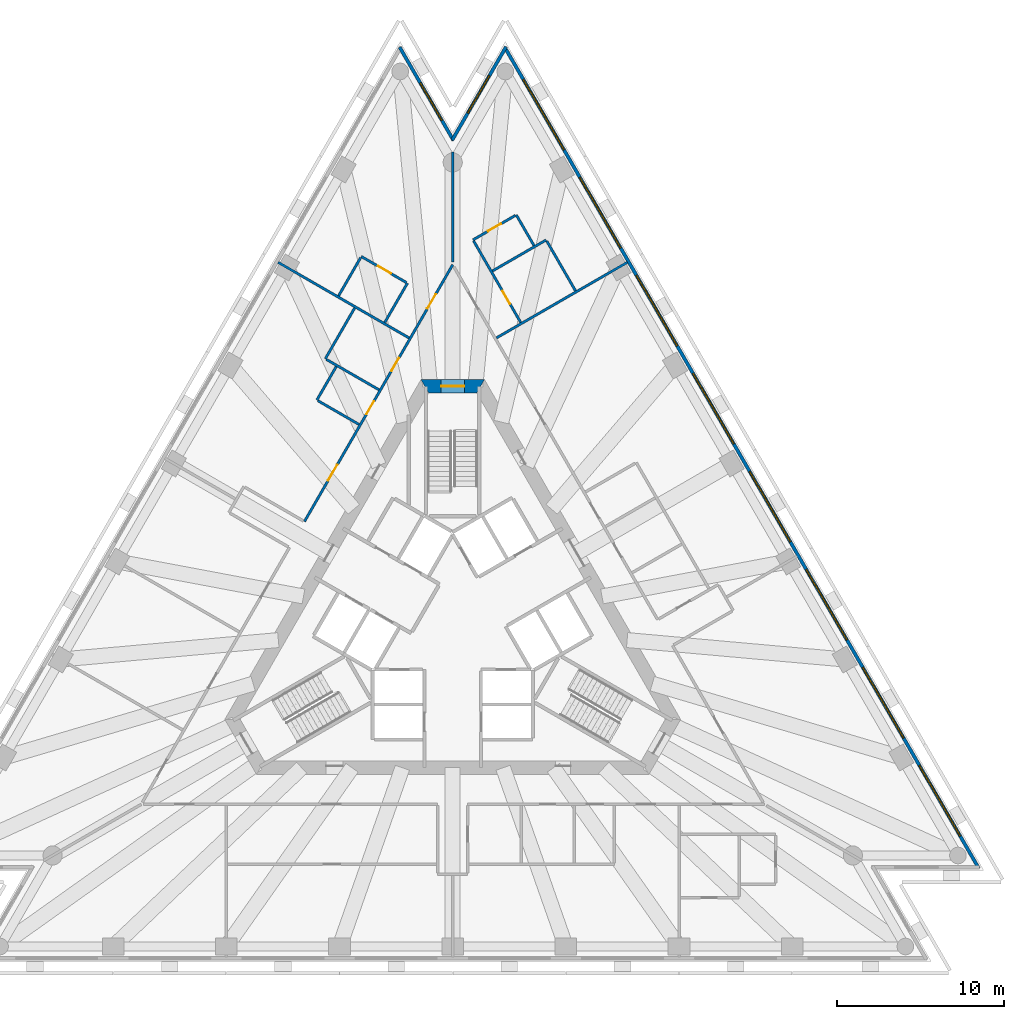
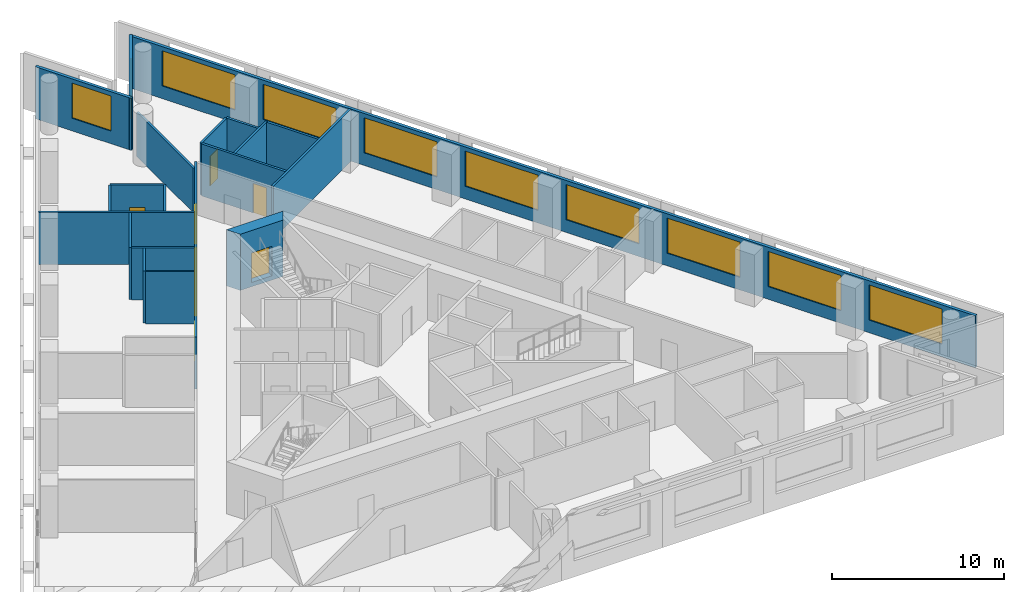
# One storey, part 6 of 9: 20 walls, 10 windows, 8 doors, 18 openings.
"""IFC4 building model written with IfcOpenShell, lengths in metres."""

from ifc_helpers import new_model, si_unit, direction, frame, frame_2d, origin, place, context, subcontext, project, spatial, polyline, rectangle, outline, extrude, material, layer, layer_set, layer_usage, type_object, element, fill, save


model = new_model("IFC4")

# Units and contexts
model_context = context("Model", 3, precision=1e-05, world=origin(), true_north=direction((0.0, 1.0)))
body_context = subcontext(model_context, "Body", "Model", "MODEL_VIEW")
ifc_project = project(units=[si_unit("LENGTHUNIT", "METRE"), si_unit("AREAUNIT", "SQUARE_METRE"), si_unit("VOLUMEUNIT", "CUBIC_METRE"), si_unit("PLANEANGLEUNIT", "RADIAN"), si_unit("MASSUNIT", "GRAM", prefix="KILO")], contexts=[model_context])

# Site, building, storey
site_placement = place(None, origin())
site = spatial("IfcSite", under=ifc_project, at=site_placement, CompositionType="ELEMENT")
building_placement = place(site_placement, origin())
building = spatial("IfcBuilding", under=site, at=building_placement, Name="Triada Interchange Tower", CompositionType="ELEMENT")
storey_placement = place(building_placement, frame((0.0, 0.0, 128.300048828125)))
storey = spatial("IfcBuildingStorey", under=building, at=storey_placement, Name="L29", CompositionType="ELEMENT", Elevation=128.300048828125)

# Wall, opening, door
ifc_material_1 = material(Name="Concrete C60/75", Category="concrete")
ifc_layer_1 = layer(ifc_material_1, 0.800048828125)
ifc_layer_set_1 = layer_set([ifc_layer_1], Name="Core wall B 800")
wall_type_1 = type_object("IfcWallType", Name="Core wall B 800", PredefinedType="SHEAR", material=ifc_layer_set_1)
wall_1_placement = place(storey_placement, frame((1.674072265625, 14.300048828125, -0.300048828125), z_axis=(0.0, 0.0, 1.0), x_axis=(-1.0, 0.0, 0.0)))
wall_1 = element("IfcWall", 1, at=wall_1_placement, inside=storey, type_object=wall_type_1, Name="Core wall WB01 L29", PredefinedType="SHEAR", context=body_context, shape_type="SweptSolid", body=[
    extrude(outline(polyline([(-0.23095703125, -0.39990234375), (1.674072265625, -0.39990234375), (3.5791015625, -0.39990234375), (3.116943359375, 0.39990234375), (1.673828125, 0.39990234375), (0.23095703125, 0.39990234375), (-0.23095703125, -0.39990234375)])), origin(), (0.0, 0.0, 1.0), 4.0),
])
opening_1_placement = place(wall_1_placement, frame((0.97412109375, 0.0, 0.300048828125)))
opening_1 = element("IfcOpeningElement", 2, at=opening_1_placement, cuts=wall_1, Name="Opening D29-38", PredefinedType="OPENING", context=body_context, shape_type="SweptSolid", body=[
    extrude(rectangle(XDim=1.39990234375, YDim=2.10009765625, at=frame_2d((0.699951171875, 1.050048828125))), frame((0.0, 0.409912109375, 0.0), z_axis=(0.0, -1.0, 0.0), x_axis=(1.0, 0.0, 0.0)), (0.0, 0.0, 1.0), 0.820068359375),
])
ifc_material_2 = material(Name="Steel S235 door leaf", Category="steel")
door_type_1 = type_object("IfcDoorType", Name="STAIR DOOR 1400 EI2 90-C5S200", OperationType="DOUBLE_DOOR_SINGLE_SWING", PredefinedType="DOOR", material=ifc_material_2)
door_1_placement = place(opening_1_placement, origin())
door_1 = element("IfcDoor", 3, at=door_1_placement, inside=storey, type_object=door_type_1, Name="Door D29-38 L29", OperationType="DOUBLE_DOOR_SINGLE_SWING", OverallHeight=2.10009765625, OverallWidth=1.39990234375, PredefinedType="DOOR", context=body_context, shape_type="SweptSolid", body=[
    extrude(rectangle(XDim=1.39990234375, YDim=2.10009765625, at=frame_2d((0.699951171875, 1.050048828125))), frame((0.0, 0.02490234375, 0.0), z_axis=(0.0, -1.0, 0.0), x_axis=(1.0, 0.0, 0.0)), (0.0, 0.0, 1.0), 0.050048828125),
])
fill(opening_1, door_1)

# Wall, openings, windows
ifc_material_3 = material(Name="Cement board")
ifc_layer_2 = layer(ifc_material_3, 0.02001953125, Name="Cement board cladding")
ifc_material_4 = material(Name="Sheathing board")
ifc_layer_3 = layer(ifc_material_4, 0.014892578125, Name="Sheathing board")
ifc_material_5 = material(Name="Mineral wool")
ifc_layer_4 = layer(ifc_material_5, 0.14990234375, Name="Mineral wool between steel studs")
ifc_material_6 = material(Name="Gypsum board")
ifc_layer_5 = layer(ifc_material_6, 0.014892578125, Name="Plasterboard lining")
ifc_layer_set_2 = layer_set([ifc_layer_2, ifc_layer_3, ifc_layer_4, ifc_layer_5], Name="External wall 200")
ifc_layer_usage = layer_usage(ifc_layer_set_2, "AXIS2", "POSITIVE", -0.10009765625)
wall_type_2 = type_object("IfcWallType", Name="External wall 200", PredefinedType="ELEMENTEDWALL", material=ifc_layer_set_2)
wall_2_placement = place(storey_placement, frame((31.587890625, -14.64697265625, 0.0), z_axis=(0.0, 0.0, 1.0), x_axis=(-0.500005036527, 0.866022495925, 0.0)))
wall_2 = element("IfcWall", 4, at=wall_2_placement, inside=storey, type_object=wall_type_2, material=ifc_layer_usage, Name="External wall L29 NE", PredefinedType="ELEMENTEDWALL", context=body_context, shape_type="SweptSolid", body=[
    extrude(rectangle(XDim=56.9375, YDim=0.199951171875, at=frame_2d((28.46875, 0.0))), origin(), (0.0, 0.0, 1.0), 3.699951171875),
])
opening_2_placement = place(wall_2_placement, frame((2.25, 0.0, 0.89990234375)))
opening_2 = element("IfcOpeningElement", 5, at=opening_2_placement, cuts=wall_2, Name="Opening WB21", PredefinedType="OPENING", context=body_context, shape_type="SweptSolid", body=[
    extrude(rectangle(XDim=4.89990234375, YDim=2.5, at=frame_2d((2.449951171875, 1.25))), frame((0.0, 0.10986328125, 0.0), z_axis=(0.0, -1.0, 0.0), x_axis=(1.0, 0.0, 0.0)), (0.0, 0.0, 1.0), 0.219970703125),
])
opening_3_placement = place(wall_2_placement, frame((9.0439453125, 0.0, 0.89990234375)))
opening_3 = element("IfcOpeningElement", 6, at=opening_3_placement, cuts=wall_2, Name="Opening WB22", PredefinedType="OPENING", context=body_context, shape_type="SweptSolid", body=[
    extrude(rectangle(XDim=4.89990234375, YDim=2.5, at=frame_2d((2.449951171875, 1.25))), frame((0.0, 0.10986328125, 0.0), z_axis=(0.0, -1.0, 0.0), x_axis=(1.0, 0.0, 0.0)), (0.0, 0.0, 1.0), 0.219970703125),
])
opening_4_placement = place(wall_2_placement, frame((15.837890625, 0.0, 0.89990234375)))
opening_4 = element("IfcOpeningElement", 7, at=opening_4_placement, cuts=wall_2, Name="Opening WB23", PredefinedType="OPENING", context=body_context, shape_type="SweptSolid", body=[
    extrude(rectangle(XDim=4.89990234375, YDim=2.5, at=frame_2d((2.449951171875, 1.25))), frame((0.0, 0.10986328125, 0.0), z_axis=(0.0, -1.0, 0.0), x_axis=(1.0, 0.0, 0.0)), (0.0, 0.0, 1.0), 0.219970703125),
])
opening_5_placement = place(wall_2_placement, frame((22.632080078125, 0.0, 0.89990234375)))
opening_5 = element("IfcOpeningElement", 8, at=opening_5_placement, cuts=wall_2, Name="Opening WB24", PredefinedType="OPENING", context=body_context, shape_type="SweptSolid", body=[
    extrude(rectangle(XDim=4.89990234375, YDim=2.5, at=frame_2d((2.449951171875, 1.25))), frame((0.0, 0.10986328125, 0.0), z_axis=(0.0, -1.0, 0.0), x_axis=(1.0, 0.0, 0.0)), (0.0, 0.0, 1.0), 0.219970703125),
])
opening_6_placement = place(wall_2_placement, frame((29.426025390625, 0.0, 0.89990234375)))
opening_6 = element("IfcOpeningElement", 9, at=opening_6_placement, cuts=wall_2, Name="Opening WB25", PredefinedType="OPENING", context=body_context, shape_type="SweptSolid", body=[
    extrude(rectangle(XDim=4.89990234375, YDim=2.5, at=frame_2d((2.449951171875, 1.25))), frame((0.0, 0.10986328125, 0.0), z_axis=(0.0, -1.0, 0.0), x_axis=(1.0, 0.0, 0.0)), (0.0, 0.0, 1.0), 0.219970703125),
])
opening_7_placement = place(wall_2_placement, frame((36.219970703125, 0.0, 0.89990234375)))
opening_7 = element("IfcOpeningElement", 10, at=opening_7_placement, cuts=wall_2, Name="Opening WB26", PredefinedType="OPENING", context=body_context, shape_type="SweptSolid", body=[
    extrude(rectangle(XDim=4.89990234375, YDim=2.5, at=frame_2d((2.449951171875, 1.25))), frame((0.0, 0.10986328125, 0.0), z_axis=(0.0, -1.0, 0.0), x_axis=(1.0, 0.0, 0.0)), (0.0, 0.0, 1.0), 0.219970703125),
])
opening_8_placement = place(wall_2_placement, frame((43.013916015625, 0.0, 0.89990234375)))
opening_8 = element("IfcOpeningElement", 11, at=opening_8_placement, cuts=wall_2, Name="Opening WB27", PredefinedType="OPENING", context=body_context, shape_type="SweptSolid", body=[
    extrude(rectangle(XDim=4.89990234375, YDim=2.5, at=frame_2d((2.449951171875, 1.25))), frame((0.0, 0.10986328125, 0.0), z_axis=(0.0, -1.0, 0.0), x_axis=(1.0, 0.0, 0.0)), (0.0, 0.0, 1.0), 0.219970703125),
])
opening_9_placement = place(wall_2_placement, frame((49.80810546875, 0.0, 0.89990234375)))
opening_9 = element("IfcOpeningElement", 12, at=opening_9_placement, cuts=wall_2, Name="Opening WB28", PredefinedType="OPENING", context=body_context, shape_type="SweptSolid", body=[
    extrude(rectangle(XDim=4.89990234375, YDim=2.5, at=frame_2d((2.449951171875, 1.25))), frame((0.0, 0.10986328125, 0.0), z_axis=(0.0, -1.0, 0.0), x_axis=(1.0, 0.0, 0.0)), (0.0, 0.0, 1.0), 0.219970703125),
])
ifc_material_7 = material(Name="Double glazed aluminium window", Category="aluminium")
window_type_1 = type_object("IfcWindowType", Name="Ribbon window B face", PartitioningType="SINGLE_PANEL", PredefinedType="WINDOW", material=ifc_material_7)
window_1_placement = place(opening_2_placement, origin())
window_1 = element("IfcWindow", 13, at=window_1_placement, inside=storey, type_object=window_type_1, Name="Window L29 NE 1", OverallHeight=2.5, OverallWidth=4.89990234375, PartitioningType="SINGLE_PANEL", PredefinedType="WINDOW", context=body_context, shape_type="SweptSolid", body=[
    extrude(rectangle(XDim=4.89990234375, YDim=2.5, at=frame_2d((2.449951171875, 1.25))), frame((0.0, 0.030029296875, 0.0), z_axis=(0.0, -1.0, 0.0), x_axis=(1.0, 0.0, 0.0)), (0.0, 0.0, 1.0), 0.06005859375),
])
fill(opening_2, window_1)
window_2_placement = place(opening_3_placement, origin())
window_2 = element("IfcWindow", 14, at=window_2_placement, inside=storey, type_object=window_type_1, Name="Window L29 NE 2", OverallHeight=2.5, OverallWidth=4.89990234375, PartitioningType="SINGLE_PANEL", PredefinedType="WINDOW", context=body_context, shape_type="SweptSolid", body=[
    extrude(rectangle(XDim=4.89990234375, YDim=2.5, at=frame_2d((2.449951171875, 1.25))), frame((0.0, 0.030029296875, 0.0), z_axis=(0.0, -1.0, 0.0), x_axis=(1.0, 0.0, 0.0)), (0.0, 0.0, 1.0), 0.06005859375),
])
fill(opening_3, window_2)
window_3_placement = place(opening_4_placement, origin())
window_3 = element("IfcWindow", 15, at=window_3_placement, inside=storey, type_object=window_type_1, Name="Window L29 NE 3", OverallHeight=2.5, OverallWidth=4.89990234375, PartitioningType="SINGLE_PANEL", PredefinedType="WINDOW", context=body_context, shape_type="SweptSolid", body=[
    extrude(rectangle(XDim=4.89990234375, YDim=2.5, at=frame_2d((2.449951171875, 1.25))), frame((0.0, 0.030029296875, 0.0), z_axis=(0.0, -1.0, 0.0), x_axis=(1.0, 0.0, 0.0)), (0.0, 0.0, 1.0), 0.06005859375),
])
fill(opening_4, window_3)
window_4_placement = place(opening_5_placement, origin())
window_4 = element("IfcWindow", 16, at=window_4_placement, inside=storey, type_object=window_type_1, Name="Window L29 NE 4", OverallHeight=2.5, OverallWidth=4.89990234375, PartitioningType="SINGLE_PANEL", PredefinedType="WINDOW", context=body_context, shape_type="SweptSolid", body=[
    extrude(rectangle(XDim=4.89990234375, YDim=2.5, at=frame_2d((2.449951171875, 1.25))), frame((0.0, 0.030029296875, 0.0), z_axis=(0.0, -1.0, 0.0), x_axis=(1.0, 0.0, 0.0)), (0.0, 0.0, 1.0), 0.06005859375),
])
fill(opening_5, window_4)
window_5_placement = place(opening_6_placement, origin())
window_5 = element("IfcWindow", 17, at=window_5_placement, inside=storey, type_object=window_type_1, Name="Window L29 NE 5", OverallHeight=2.5, OverallWidth=4.89990234375, PartitioningType="SINGLE_PANEL", PredefinedType="WINDOW", context=body_context, shape_type="SweptSolid", body=[
    extrude(rectangle(XDim=4.89990234375, YDim=2.5, at=frame_2d((2.449951171875, 1.25))), frame((0.0, 0.030029296875, 0.0), z_axis=(0.0, -1.0, 0.0), x_axis=(1.0, 0.0, 0.0)), (0.0, 0.0, 1.0), 0.06005859375),
])
fill(opening_6, window_5)
window_6_placement = place(opening_7_placement, origin())
window_6 = element("IfcWindow", 18, at=window_6_placement, inside=storey, type_object=window_type_1, Name="Window L29 NE 6", OverallHeight=2.5, OverallWidth=4.89990234375, PartitioningType="SINGLE_PANEL", PredefinedType="WINDOW", context=body_context, shape_type="SweptSolid", body=[
    extrude(rectangle(XDim=4.89990234375, YDim=2.5, at=frame_2d((2.449951171875, 1.25))), frame((0.0, 0.030029296875, 0.0), z_axis=(0.0, -1.0, 0.0), x_axis=(1.0, 0.0, 0.0)), (0.0, 0.0, 1.0), 0.06005859375),
])
fill(opening_7, window_6)
window_7_placement = place(opening_8_placement, origin())
window_7 = element("IfcWindow", 19, at=window_7_placement, inside=storey, type_object=window_type_1, Name="Window L29 NE 7", OverallHeight=2.5, OverallWidth=4.89990234375, PartitioningType="SINGLE_PANEL", PredefinedType="WINDOW", context=body_context, shape_type="SweptSolid", body=[
    extrude(rectangle(XDim=4.89990234375, YDim=2.5, at=frame_2d((2.449951171875, 1.25))), frame((0.0, 0.030029296875, 0.0), z_axis=(0.0, -1.0, 0.0), x_axis=(1.0, 0.0, 0.0)), (0.0, 0.0, 1.0), 0.06005859375),
])
fill(opening_8, window_7)
window_8_placement = place(opening_9_placement, origin())
window_8 = element("IfcWindow", 20, at=window_8_placement, inside=storey, type_object=window_type_1, Name="Window L29 NE 8", OverallHeight=2.5, OverallWidth=4.89990234375, PartitioningType="SINGLE_PANEL", PredefinedType="WINDOW", context=body_context, shape_type="SweptSolid", body=[
    extrude(rectangle(XDim=4.89990234375, YDim=2.5, at=frame_2d((2.449951171875, 1.25))), frame((0.0, 0.030029296875, 0.0), z_axis=(0.0, -1.0, 0.0), x_axis=(1.0, 0.0, 0.0)), (0.0, 0.0, 1.0), 0.06005859375),
])
fill(opening_9, window_8)

# Wall, opening, window
wall_3_placement = place(storey_placement, frame((3.198974609375, 34.678955078125, 0.0), z_axis=(0.0, 0.0, 1.0), x_axis=(-0.500012177251, -0.866018373131, 0.0)))
wall_3 = element("IfcWall", 21, at=wall_3_placement, inside=storey, type_object=wall_type_2, material=ifc_layer_usage, Name="External wall L29 N-1", PredefinedType="ELEMENTEDWALL", context=body_context, shape_type="SweptSolid", body=[
    extrude(rectangle(XDim=6.467529296875, YDim=0.199951171875, at=frame_2d((3.23388671875, 0.0))), origin(), (0.0, 0.0, 1.0), 3.699951171875),
])
opening_10_placement = place(wall_3_placement, frame((1.989990234375, 0.0, 0.89990234375)))
opening_10 = element("IfcOpeningElement", 22, at=opening_10_placement, cuts=wall_3, Name="Opening WB29", PredefinedType="OPENING", context=body_context, shape_type="SweptSolid", body=[
    extrude(rectangle(XDim=2.60009765625, YDim=2.5, at=frame_2d((1.300048828125, 1.25))), frame((0.0, 0.10986328125, 0.0), z_axis=(0.0, -1.0, 0.0), x_axis=(1.0, 0.0, 0.0)), (0.0, 0.0, 1.0), 0.219970703125),
])
window_type_2 = type_object("IfcWindowType", Name="Ribbon window B pocket", PartitioningType="SINGLE_PANEL", PredefinedType="WINDOW", material=ifc_material_7)
window_9_placement = place(opening_10_placement, origin())
window_9 = element("IfcWindow", 23, at=window_9_placement, inside=storey, type_object=window_type_2, Name="Window L29 N-1 1", OverallHeight=2.5, OverallWidth=2.60009765625, PartitioningType="SINGLE_PANEL", PredefinedType="WINDOW", context=body_context, shape_type="SweptSolid", body=[
    extrude(rectangle(XDim=2.60009765625, YDim=2.5, at=frame_2d((1.300048828125, 1.25))), frame((0.0, 0.030029296875, 0.0), z_axis=(0.0, -1.0, 0.0), x_axis=(1.0, 0.0, 0.0)), (0.0, 0.0, 1.0), 0.06005859375),
])
fill(opening_10, window_9)

wall_4_placement = place(storey_placement, frame((0.044921875, 29.06103515625, 0.0), z_axis=(0.0, 0.0, 1.0), x_axis=(-0.500012177251, 0.866018373131, 0.0)))
wall_4 = element("IfcWall", 24, at=wall_4_placement, inside=storey, type_object=wall_type_2, material=ifc_layer_usage, Name="External wall L29 N-2", PredefinedType="ELEMENTEDWALL", context=body_context, shape_type="SweptSolid", body=[
    extrude(rectangle(XDim=6.467529296875, YDim=0.199951171875, at=frame_2d((3.23388671875, 0.0))), origin(), (0.0, 0.0, 1.0), 3.699951171875),
])
opening_11_placement = place(wall_4_placement, frame((1.389892578125, 0.0, 0.89990234375)))
opening_11 = element("IfcOpeningElement", 25, at=opening_11_placement, cuts=wall_4, Name="Opening WB30", PredefinedType="OPENING", context=body_context, shape_type="SweptSolid", body=[
    extrude(rectangle(XDim=2.60009765625, YDim=2.5, at=frame_2d((1.300048828125, 1.25))), frame((0.0, 0.10986328125, 0.0), z_axis=(0.0, -1.0, 0.0), x_axis=(1.0, 0.0, 0.0)), (0.0, 0.0, 1.0), 0.219970703125),
])
window_10_placement = place(opening_11_placement, origin())
window_10 = element("IfcWindow", 26, at=window_10_placement, inside=storey, type_object=window_type_2, Name="Window L29 N-2 1", OverallHeight=2.5, OverallWidth=2.60009765625, PartitioningType="SINGLE_PANEL", PredefinedType="WINDOW", context=body_context, shape_type="SweptSolid", body=[
    extrude(rectangle(XDim=2.60009765625, YDim=2.5, at=frame_2d((1.300048828125, 1.25))), frame((0.0, 0.030029296875, 0.0), z_axis=(0.0, -1.0, 0.0), x_axis=(1.0, 0.0, 0.0)), (0.0, 0.0, 1.0), 0.06005859375),
])
fill(opening_11, window_10)

# Wall, openings, doors
ifc_material_8 = material(Name="Gypsum board partition")
ifc_layer_6 = layer(ifc_material_8, 0.14990234375)
ifc_layer_set_3 = layer_set([ifc_layer_6], Name="PARTITION 150 EI 180")
wall_type_3 = type_object("IfcWallType", Name="PARTITION 150 EI 180", PredefinedType="PARTITIONING", material=ifc_layer_set_3)
wall_5_placement = place(storey_placement, frame((-8.903076171875, 6.179931640625, 0.0), z_axis=(0.0, 0.0, 1.0), x_axis=(0.500010074151, 0.866019587393, 0.0)))
wall_5 = element("IfcWall", 27, at=wall_5_placement, inside=storey, type_object=wall_type_3, Name="Wall L29 7", PredefinedType="PARTITIONING", context=body_context, shape_type="SweptSolid", body=[
    extrude(rectangle(XDim=17.805908203125, YDim=0.14990234375, at=frame_2d((8.90283203125, 0.0))), origin(), (0.0, 0.0, 1.0), 3.699951171875),
])
opening_12_placement = place(wall_5_placement, frame((14.756103515625, 0.0, 0.0)))
opening_12 = element("IfcOpeningElement", 28, at=opening_12_placement, cuts=wall_5, Name="Opening D29-29", PredefinedType="OPENING", context=body_context, shape_type="SweptSolid", body=[
    extrude(rectangle(XDim=1.0, YDim=2.10009765625, at=frame_2d((0.5, 1.050048828125))), frame((0.0, 0.0849609375, 0.0), z_axis=(0.0, -1.0, 0.0), x_axis=(1.0, 0.0, 0.0)), (0.0, 0.0, 1.0), 0.169921875),
])
opening_13_placement = place(wall_5_placement, frame((2.837890625, 0.0, 0.0)))
opening_13 = element("IfcOpeningElement", 29, at=opening_13_placement, cuts=wall_5, Name="Opening D29-31", PredefinedType="OPENING", context=body_context, shape_type="SweptSolid", body=[
    extrude(rectangle(XDim=1.10009765625, YDim=2.10009765625, at=frame_2d((0.550048828125, 1.050048828125))), frame((0.0, 0.0849609375, 0.0), z_axis=(0.0, -1.0, 0.0), x_axis=(1.0, 0.0, 0.0)), (0.0, 0.0, 1.0), 0.169921875),
])
opening_14_placement = place(wall_5_placement, frame((10.43798828125, 0.0, 0.0)))
opening_14 = element("IfcOpeningElement", 30, at=opening_14_placement, cuts=wall_5, Name="Opening D29-32", PredefinedType="OPENING", context=body_context, shape_type="SweptSolid", body=[
    extrude(rectangle(XDim=0.89990234375, YDim=2.10009765625, at=frame_2d((0.449951171875, 1.050048828125))), frame((0.0, 0.0849609375, 0.0), z_axis=(0.0, -1.0, 0.0), x_axis=(1.0, 0.0, 0.0)), (0.0, 0.0, 1.0), 0.169921875),
])
opening_15_placement = place(wall_5_placement, frame((7.43798828125, 0.0, 0.0)))
opening_15 = element("IfcOpeningElement", 31, at=opening_15_placement, cuts=wall_5, Name="Opening D29-33", PredefinedType="OPENING", context=body_context, shape_type="SweptSolid", body=[
    extrude(rectangle(XDim=0.89990234375, YDim=2.10009765625, at=frame_2d((0.449951171875, 1.050048828125))), frame((0.0, 0.0849609375, 0.0), z_axis=(0.0, -1.0, 0.0), x_axis=(1.0, 0.0, 0.0)), (0.0, 0.0, 1.0), 0.169921875),
])
door_type_2 = type_object("IfcDoorType", Name="ROOM DOOR 1000 EI2 90-C5S200", OperationType="NOTDEFINED", PredefinedType="DOOR", material=ifc_material_2)
door_2_placement = place(opening_12_placement, origin())
door_2 = element("IfcDoor", 32, at=door_2_placement, inside=storey, type_object=door_type_2, Name="Door D29-29 L29", OperationType="SINGLE_SWING_RIGHT", OverallHeight=2.10009765625, OverallWidth=1.0, PredefinedType="DOOR", context=body_context, shape_type="SweptSolid", body=[
    extrude(rectangle(XDim=1.0, YDim=2.10009765625, at=frame_2d((0.5, 1.050048828125))), frame((0.0, 0.02490234375, 0.0), z_axis=(0.0, -1.0, 0.0), x_axis=(1.0, 0.0, 0.0)), (0.0, 0.0, 1.0), 0.050048828125),
])
fill(opening_12, door_2)
door_type_3 = type_object("IfcDoorType", Name="ROOM DOOR 900 EI2 90-C5S200", OperationType="NOTDEFINED", PredefinedType="DOOR", material=ifc_material_2)
door_3_placement = place(opening_14_placement, origin())
door_3 = element("IfcDoor", 33, at=door_3_placement, inside=storey, type_object=door_type_3, Name="Door D29-32 L29", OperationType="SINGLE_SWING_LEFT", OverallHeight=2.10009765625, OverallWidth=0.89990234375, PredefinedType="DOOR", context=body_context, shape_type="SweptSolid", body=[
    extrude(rectangle(XDim=0.89990234375, YDim=2.10009765625, at=frame_2d((0.449951171875, 1.050048828125))), frame((0.0, 0.02490234375, 0.0), z_axis=(0.0, -1.0, 0.0), x_axis=(1.0, 0.0, 0.0)), (0.0, 0.0, 1.0), 0.050048828125),
])
fill(opening_14, door_3)
door_4_placement = place(opening_15_placement, origin())
door_4 = element("IfcDoor", 34, at=door_4_placement, inside=storey, type_object=door_type_3, Name="Door D29-33 L29", OperationType="SINGLE_SWING_LEFT", OverallHeight=2.10009765625, OverallWidth=0.89990234375, PredefinedType="DOOR", context=body_context, shape_type="SweptSolid", body=[
    extrude(rectangle(XDim=0.89990234375, YDim=2.10009765625, at=frame_2d((0.449951171875, 1.050048828125))), frame((0.0, 0.02490234375, 0.0), z_axis=(0.0, -1.0, 0.0), x_axis=(1.0, 0.0, 0.0)), (0.0, 0.0, 1.0), 0.050048828125),
])
fill(opening_15, door_4)
door_type_4 = type_object("IfcDoorType", Name="TENANCY ENTRANCE DOOR 1100 EI2 90-C5S200", OperationType="NOTDEFINED", PredefinedType="DOOR", material=ifc_material_2)
door_5_placement = place(opening_13_placement, origin())
door_5 = element("IfcDoor", 35, at=door_5_placement, inside=storey, type_object=door_type_4, Name="Door D29-31 L29", OperationType="SINGLE_SWING_LEFT", OverallHeight=2.10009765625, OverallWidth=1.10009765625, PredefinedType="DOOR", context=body_context, shape_type="SweptSolid", body=[
    extrude(rectangle(XDim=1.10009765625, YDim=2.10009765625, at=frame_2d((0.550048828125, 1.050048828125))), frame((0.0, 0.02490234375, 0.0), z_axis=(0.0, -1.0, 0.0), x_axis=(1.0, 0.0, 0.0)), (0.0, 0.0, 1.0), 0.050048828125),
])
fill(opening_13, door_5)

# Walls
wall_6_placement = place(storey_placement, frame((-10.485107421875, 21.743896484375, 0.0), z_axis=(0.0, 0.0, 1.0), x_axis=(0.866014937375, -0.500018127915, 0.0)))
element("IfcWall", 36, at=wall_6_placement, inside=storey, type_object=wall_type_3, Name="Wall L29 16", PredefinedType="PARTITIONING", context=body_context, shape_type="SweptSolid", body=[
    extrude(rectangle(XDim=9.077392578125, YDim=0.14990234375, at=frame_2d((4.53857421875, 0.0))), origin(), (0.0, 0.0, 1.0), 3.699951171875),
])
wall_7_placement = place(storey_placement, frame((-7.64990234375, 15.949951171875, 0.0), z_axis=(0.0, 0.0, 1.0), x_axis=(0.500064136673, 0.865988371292, 0.0)))
element("IfcWall", 37, at=wall_7_placement, inside=storey, type_object=wall_type_3, Name="Wall L29 17", PredefinedType="PARTITIONING", context=body_context, shape_type="SweptSolid", body=[
    extrude(rectangle(XDim=3.525390625, YDim=0.14990234375, at=frame_2d((1.7626953125, 0.0))), origin(), (0.0, 0.0, 1.0), 3.699951171875),
])
wall_8_placement = place(storey_placement, frame((-7.5849609375, 15.9130859375, 0.0), z_axis=(0.0, 0.0, 1.0), x_axis=(0.865995104784, -0.500052475737, 0.0)))
element("IfcWall", 38, at=wall_8_placement, inside=storey, type_object=wall_type_3, Name="Wall L29 18", PredefinedType="PARTITIONING", context=body_context, shape_type="SweptSolid", body=[
    extrude(rectangle(XDim=3.64990234375, YDim=0.14990234375, at=frame_2d((1.824951171875, 0.0))), origin(), (0.0, 0.0, 1.0), 3.699951171875),
])
wall_9_placement = place(storey_placement, frame((-8.156982421875, 13.471923828125, 0.0), z_axis=(0.0, 0.0, 1.0), x_axis=(0.500249606323, 0.865881245537, 0.0)))
element("IfcWall", 39, at=wall_9_placement, inside=storey, type_object=wall_type_3, Name="Wall L29 19", PredefinedType="PARTITIONING", context=body_context, shape_type="SweptSolid", body=[
    extrude(rectangle(XDim=2.324951171875, YDim=0.14990234375, at=frame_2d((1.16259765625, 0.0))), origin(), (0.0, 0.0, 1.0), 3.699951171875),
])
wall_10_placement = place(storey_placement, frame((-8.092041015625, 13.43408203125, 0.0), z_axis=(0.0, 0.0, 1.0), x_axis=(0.866004402611, -0.500036373335, 0.0)))
element("IfcWall", 40, at=wall_10_placement, inside=storey, type_object=wall_type_3, Name="Wall L29 20", PredefinedType="PARTITIONING", context=body_context, shape_type="SweptSolid", body=[
    extrude(rectangle(XDim=2.849853515625, YDim=0.14990234375, at=frame_2d((1.4248046875, 0.0))), origin(), (0.0, 0.0, 1.0), 3.699951171875),
])
wall_11_placement = place(storey_placement, frame((0.0, 21.75, 0.0), z_axis=(0.0, 0.0, 1.0), x_axis=(0.0, 1.0, 0.0)))
element("IfcWall", 41, at=wall_11_placement, inside=storey, type_object=wall_type_3, Name="Wall L29 22", PredefinedType="PARTITIONING", context=body_context, shape_type="SweptSolid", body=[
    extrude(rectangle(XDim=6.60888671875, YDim=0.14990234375, at=frame_2d((3.304443359375, 0.0))), origin(), (0.0, 0.0, 1.0), 3.14990234375),
])
wall_12_placement = place(storey_placement, frame((2.6240234375, 17.205078125, 0.0), z_axis=(0.0, 0.0, 1.0), x_axis=(0.866014937375, 0.500018127915, 0.0)))
element("IfcWall", 42, at=wall_12_placement, inside=storey, type_object=wall_type_3, Name="Wall L29 27", PredefinedType="PARTITIONING", context=body_context, shape_type="SweptSolid", body=[
    extrude(rectangle(XDim=9.077392578125, YDim=0.14990234375, at=frame_2d((4.53857421875, 0.0))), origin(), (0.0, 0.0, 1.0), 3.699951171875),
])
ifc_layer_7 = layer(ifc_material_8, 0.14990234375)
ifc_layer_set_4 = layer_set([ifc_layer_7], Name="PARTITION 150 EI 90")
wall_type_4 = type_object("IfcWallType", Name="PARTITION 150 EI 90", PredefinedType="PARTITIONING", material=ifc_layer_set_4)
wall_13_placement = place(storey_placement, frame((-4.080078125, 18.133056640625, 0.0), z_axis=(0.0, 0.0, 1.0), x_axis=(0.499887924105, 0.866090101164, 0.0)))
element("IfcWall", 43, at=wall_13_placement, inside=storey, type_object=wall_type_4, Name="Wall L29 41", PredefinedType="PARTITIONING", context=body_context, shape_type="SweptSolid", body=[
    extrude(rectangle(XDim=2.724853515625, YDim=0.14990234375, at=frame_2d((1.3623046875, 0.0))), origin(), (0.0, 0.0, 1.0), 3.699951171875),
])

# Wall, opening, door
wall_14_placement = place(storey_placement, frame((-5.489013671875, 22.093017578125, 0.0), z_axis=(0.0, 0.0, 1.0), x_axis=(0.865935755868, -0.500155242608, 0.0)))
wall_14 = element("IfcWall", 44, at=wall_14_placement, inside=storey, type_object=wall_type_4, Name="Wall L29 42", PredefinedType="PARTITIONING", context=body_context, shape_type="SweptSolid", body=[
    extrude(rectangle(XDim=3.125, YDim=0.14990234375, at=frame_2d((1.5625, 0.0))), origin(), (0.0, 0.0, 1.0), 3.699951171875),
])
opening_16_placement = place(wall_14_placement, frame((1.14990234375, 0.0, 0.0)))
opening_16 = element("IfcOpeningElement", 45, at=opening_16_placement, cuts=wall_14, Name="Opening D29-30", PredefinedType="OPENING", context=body_context, shape_type="SweptSolid", body=[
    extrude(rectangle(XDim=0.89990234375, YDim=2.10009765625, at=frame_2d((0.449951171875, 1.050048828125))), frame((0.0, 0.0849609375, 0.0), z_axis=(0.0, -1.0, 0.0), x_axis=(1.0, 0.0, 0.0)), (0.0, 0.0, 1.0), 0.169921875),
])
door_type_5 = type_object("IfcDoorType", Name="ROOM DOOR 900 EI2 45-C5S200", OperationType="NOTDEFINED", PredefinedType="DOOR", material=ifc_material_2)
door_6_placement = place(opening_16_placement, origin())
door_6 = element("IfcDoor", 46, at=door_6_placement, inside=storey, type_object=door_type_5, Name="Door D29-30 L29", OperationType="SINGLE_SWING_LEFT", OverallHeight=2.10009765625, OverallWidth=0.89990234375, PredefinedType="DOOR", context=body_context, shape_type="SweptSolid", body=[
    extrude(rectangle(XDim=0.89990234375, YDim=2.10009765625, at=frame_2d((0.449951171875, 1.050048828125))), frame((0.0, 0.02490234375, 0.0), z_axis=(0.0, -1.0, 0.0), x_axis=(1.0, 0.0, 0.0)), (0.0, 0.0, 1.0), 0.050048828125),
])
fill(opening_16, door_6)

# Walls
wall_15_placement = place(storey_placement, frame((-6.85205078125, 19.73291015625, 0.0), z_axis=(0.0, 0.0, 1.0), x_axis=(0.499953715521, 0.866052124492, 0.0)))
element("IfcWall", 47, at=wall_15_placement, inside=storey, type_object=wall_type_4, Name="Wall L29 43", PredefinedType="PARTITIONING", context=body_context, shape_type="SweptSolid", body=[
    extrude(rectangle(XDim=2.650146484375, YDim=0.14990234375, at=frame_2d((1.3251953125, 0.0))), origin(), (0.0, 0.0, 1.0), 3.699951171875),
])
wall_16_placement = place(storey_placement, frame((2.383056640625, 21.222900390625, 0.0), z_axis=(0.0, 0.0, 1.0), x_axis=(0.865955274182, 0.500121448367, 0.0)))
element("IfcWall", 48, at=wall_16_placement, inside=storey, type_object=wall_type_4, Name="Wall L29 44", PredefinedType="PARTITIONING", context=body_context, shape_type="SweptSolid", body=[
    extrude(rectangle(XDim=3.72509765625, YDim=0.14990234375, at=frame_2d((1.862548828125, 0.0))), origin(), (0.0, 0.0, 1.0), 3.699951171875),
])
wall_17_placement = place(storey_placement, frame((5.64599609375, 23.02099609375, 0.0), z_axis=(0.0, 0.0, 1.0), x_axis=(0.49998991961, -0.866031223622, 0.0)))
element("IfcWall", 49, at=wall_17_placement, inside=storey, type_object=wall_type_4, Name="Wall L29 45", PredefinedType="PARTITIONING", context=body_context, shape_type="SweptSolid", body=[
    extrude(rectangle(XDim=3.4501953125, YDim=0.14990234375, at=frame_2d((1.72509765625, 0.0))), origin(), (0.0, 0.0, 1.0), 3.699951171875),
])
wall_18_placement = place(storey_placement, frame((3.81591796875, 24.591064453125, 0.0), z_axis=(0.0, 0.0, 1.0), x_axis=(0.499871667208, -0.86609948408, 0.0)))
element("IfcWall", 50, at=wall_18_placement, inside=storey, type_object=wall_type_4, Name="Wall L29 46", PredefinedType="PARTITIONING", context=body_context, shape_type="SweptSolid", body=[
    extrude(rectangle(XDim=2.12451171875, YDim=0.14990234375, at=frame_2d((1.062255859375, 0.0))), origin(), (0.0, 0.0, 1.0), 3.699951171875),
])

# Wall, opening, door
wall_19_placement = place(storey_placement, frame((1.218017578125, 23.091064453125, 0.0), z_axis=(0.0, 0.0, 1.0), x_axis=(0.866098016745, 0.499874209568, 0.0)))
wall_19 = element("IfcWall", 51, at=wall_19_placement, inside=storey, type_object=wall_type_4, Name="Wall L29 47", PredefinedType="PARTITIONING", context=body_context, shape_type="SweptSolid", body=[
    extrude(rectangle(XDim=2.924560546875, YDim=0.14990234375, at=frame_2d((1.46240234375, 0.0))), origin(), (0.0, 0.0, 1.0), 3.699951171875),
])
opening_17_placement = place(wall_19_placement, frame((1.050048828125, 0.0, 0.0)))
opening_17 = element("IfcOpeningElement", 52, at=opening_17_placement, cuts=wall_19, Name="Opening D29-28", PredefinedType="OPENING", context=body_context, shape_type="SweptSolid", body=[
    extrude(rectangle(XDim=0.89990234375, YDim=2.10009765625, at=frame_2d((0.449951171875, 1.050048828125))), frame((0.0, 0.0849609375, 0.0), z_axis=(0.0, -1.0, 0.0), x_axis=(1.0, 0.0, 0.0)), (0.0, 0.0, 1.0), 0.169921875),
])
door_type_6 = type_object("IfcDoorType", Name="SERVICE DOOR 900 EI2 45-C5S200", OperationType="NOTDEFINED", PredefinedType="DOOR", material=ifc_material_2)
door_7_placement = place(opening_17_placement, origin())
door_7 = element("IfcDoor", 53, at=door_7_placement, inside=storey, type_object=door_type_6, Name="Door D29-28 L29", OperationType="SINGLE_SWING_RIGHT", OverallHeight=2.10009765625, OverallWidth=0.89990234375, PredefinedType="DOOR", context=body_context, shape_type="SweptSolid", body=[
    extrude(rectangle(XDim=0.89990234375, YDim=2.10009765625, at=frame_2d((0.449951171875, 1.050048828125))), frame((0.0, 0.02490234375, 0.0), z_axis=(0.0, -1.0, 0.0), x_axis=(1.0, 0.0, 0.0)), (0.0, 0.0, 1.0), 0.050048828125),
])
fill(opening_17, door_7)

wall_20_placement = place(storey_placement, frame((1.2548828125, 23.02587890625, 0.0), z_axis=(0.0, 0.0, 1.0), x_axis=(0.500042884217, -0.866000643155, 0.0)))
wall_20 = element("IfcWall", 54, at=wall_20_placement, inside=storey, type_object=wall_type_4, Name="Wall L29 48", PredefinedType="PARTITIONING", context=body_context, shape_type="SweptSolid", body=[
    extrude(rectangle(XDim=5.64990234375, YDim=0.14990234375, at=frame_2d((2.824951171875, 0.0))), origin(), (0.0, 0.0, 1.0), 3.699951171875),
])
opening_18_placement = place(wall_20_placement, frame((3.47509765625, 0.0, 0.0)))
opening_18 = element("IfcOpeningElement", 55, at=opening_18_placement, cuts=wall_20, Name="Opening D29-27", PredefinedType="OPENING", context=body_context, shape_type="SweptSolid", body=[
    extrude(rectangle(XDim=0.89990234375, YDim=2.10009765625, at=frame_2d((0.449951171875, 1.050048828125))), frame((0.0, 0.0849609375, 0.0), z_axis=(0.0, -1.0, 0.0), x_axis=(1.0, 0.0, 0.0)), (0.0, 0.0, 1.0), 0.169921875),
])
door_8_placement = place(opening_18_placement, origin())
door_8 = element("IfcDoor", 56, at=door_8_placement, inside=storey, type_object=door_type_5, Name="Door D29-27 L29", OperationType="SINGLE_SWING_RIGHT", OverallHeight=2.10009765625, OverallWidth=0.89990234375, PredefinedType="DOOR", context=body_context, shape_type="SweptSolid", body=[
    extrude(rectangle(XDim=0.89990234375, YDim=2.10009765625, at=frame_2d((0.449951171875, 1.050048828125))), frame((0.0, 0.02490234375, 0.0), z_axis=(0.0, -1.0, 0.0), x_axis=(1.0, 0.0, 0.0)), (0.0, 0.0, 1.0), 0.050048828125),
])
fill(opening_18, door_8)

save(model, "model.ifc")
